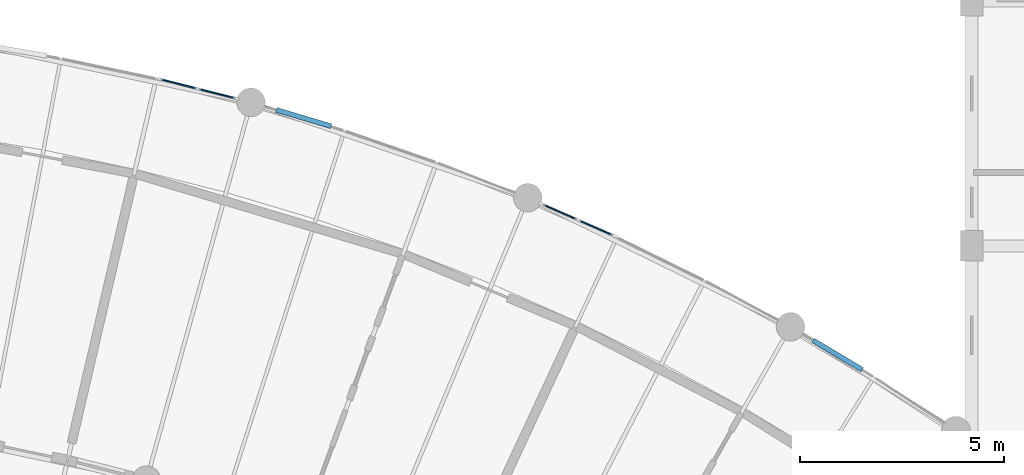
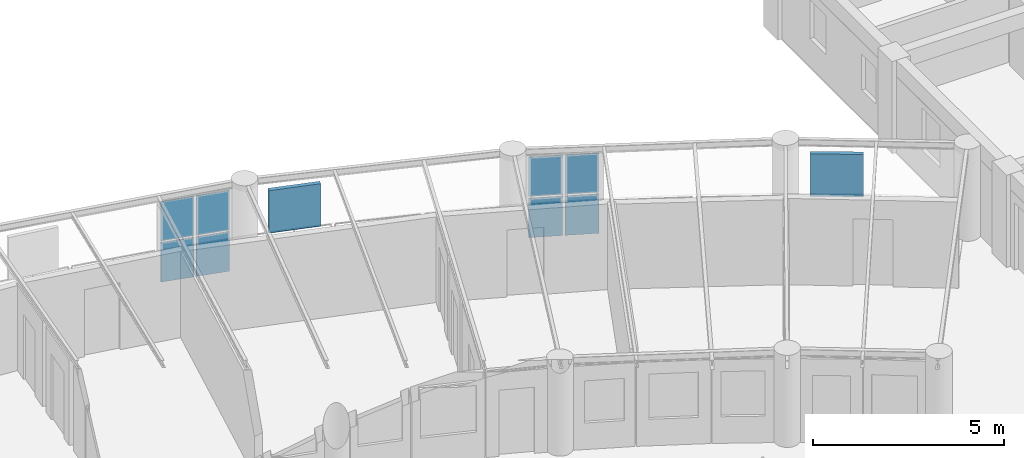
# One storey, part 68 of 123: 10 plates, 2 elements without a shape of their own.
"""IFC4 building model written with IfcOpenShell, lengths in metres."""

from ifc_helpers import new_model, si_unit, direction, frame, origin, origin_2d, place, context, subcontext, project, spatial, rectangle, extrude, material, layer, layer_set, type_object, element, aggregate, save


model = new_model("IFC4")

# Units and contexts
model_context = context("Model", 3, precision=1e-05, world=origin(), true_north=direction((0.0, 1.0)))
body_context = subcontext(model_context, "Body", "Model", "MODEL_VIEW")
ifc_project = project(units=[si_unit("LENGTHUNIT", "METRE"), si_unit("AREAUNIT", "SQUARE_METRE"), si_unit("VOLUMEUNIT", "CUBIC_METRE"), si_unit("PLANEANGLEUNIT", "RADIAN"), si_unit("MASSUNIT", "GRAM", prefix="KILO"), si_unit("POWERUNIT", "WATT"), si_unit("THERMODYNAMICTEMPERATUREUNIT", "KELVIN")], contexts=[model_context])

# Site, building, storey
site_placement = place(None, origin())
site = spatial("IfcSite", under=ifc_project, at=site_placement, CompositionType="ELEMENT")
building_placement = place(site_placement, origin())
building = spatial("IfcBuilding", under=site, at=building_placement, Name="Ruvembo Vaulted Housing Court", CompositionType="ELEMENT")
storey_placement = place(building_placement, frame((0.0, 0.0, 7.699951171875)))
storey = spatial("IfcBuildingStorey", under=building, at=storey_placement, Name="L02", CompositionType="ELEMENT", Elevation=7.699951171875)

# Curtain wall, plates
ifc_material_1 = material(Name="Anodised Aluminium and Solar-Control Glass", Category="aluminium")
ifc_layer_1 = layer(ifc_material_1, 0.139892578125, Name="Anodised Aluminium and Solar-Control Glass")
ifc_layer_set_1 = layer_set([ifc_layer_1], Name="Anodised Aluminium and Solar-Control Glass")
curtain_wall_type = type_object("IfcCurtainWallType", Name="CW-SCOOP-PAN", PredefinedType="NOTDEFINED", material=ifc_layer_set_1)
curtain_wall_1_placement = place(storey_placement, origin())
curtain_wall_1 = element("IfcCurtainWall", 1, at=curtain_wall_1_placement, inside=storey, type_object=curtain_wall_type, Name="L02 Curtain Wall CW-L02-0069", PredefinedType="NOTDEFINED")
ifc_material_2 = material(Name="Solar-Control Laminated Insulating Glass", Category="glass")
ifc_layer_2 = layer(ifc_material_2, 0.035888671875, Name="Solar-Control Laminated Insulating Glass")
ifc_layer_set_2 = layer_set([ifc_layer_2], Name="Solar-Control Laminated Insulating Glass")
plate_type_1 = type_object("IfcPlateType", Name="CW-PANEL-ACOUST", PredefinedType="CURTAIN_PANEL", material=ifc_layer_set_2)
plate_1_placement = place(storey_placement, frame((130.58203125, 105.966552734375, 0.06005859375), z_axis=(0.0, 0.0, 1.0), x_axis=(0.969147586916, -0.246481144869, 0.0)))
plate_1 = element("IfcPlate", 2, at=plate_1_placement, type_object=plate_type_1, Name="CW10 panel 1.1", PredefinedType="CURTAIN_PANEL", context=body_context, shape_type="SweptSolid", body=[
    extrude(rectangle(XDim=0.905517578125, YDim=0.035888671875, at=origin_2d()), origin(), (0.0, 0.0, 1.0), 1.259033203125),
])
plate_2_placement = place(storey_placement, frame((130.58203125, 105.966552734375, 1.37890625), z_axis=(0.0, 0.0, 1.0), x_axis=(0.969147586916, -0.246481144869, 0.0)))
plate_2 = element("IfcPlate", 3, at=plate_2_placement, type_object=plate_type_1, Name="CW10 panel 1.2", PredefinedType="CURTAIN_PANEL", context=body_context, shape_type="SweptSolid", body=[
    extrude(rectangle(XDim=0.905517578125, YDim=0.035888671875, at=origin_2d()), origin(), (0.0, 0.0, 1.0), 1.259033203125),
])
plate_3_placement = place(storey_placement, frame((131.517578125, 105.728759765625, 0.06005859375), z_axis=(0.0, 0.0, 1.0), x_axis=(0.969147586916, -0.246481144869, 0.0)))
plate_3 = element("IfcPlate", 4, at=plate_3_placement, type_object=plate_type_1, Name="CW10 panel 2.1", PredefinedType="CURTAIN_PANEL", context=body_context, shape_type="SweptSolid", body=[
    extrude(rectangle(XDim=0.905517578125, YDim=0.035888671875, at=origin_2d()), origin(), (0.0, 0.0, 1.0), 1.259033203125),
])
plate_4_placement = place(storey_placement, frame((131.517578125, 105.728759765625, 1.37890625), z_axis=(0.0, 0.0, 1.0), x_axis=(0.969147586916, -0.246481144869, 0.0)))
plate_4 = element("IfcPlate", 5, at=plate_4_placement, type_object=plate_type_1, Name="CW10 panel 2.2", PredefinedType="CURTAIN_PANEL", context=body_context, shape_type="SweptSolid", body=[
    extrude(rectangle(XDim=0.905517578125, YDim=0.035888671875, at=origin_2d()), origin(), (0.0, 0.0, 1.0), 1.259033203125),
])
aggregate(curtain_wall_1, [plate_1, plate_2, plate_3, plate_4])

curtain_wall_2_placement = place(storey_placement, origin())
curtain_wall_2 = element("IfcCurtainWall", 6, at=curtain_wall_2_placement, inside=storey, type_object=curtain_wall_type, Name="L02 Curtain Wall CW-L02-0070", PredefinedType="NOTDEFINED")
ifc_layer_3 = layer(ifc_material_2, 0.031982421875, Name="Solar-Control Laminated Insulating Glass")
ifc_layer_set_3 = layer_set([ifc_layer_3], Name="Solar-Control Laminated Insulating Glass")
plate_type_2 = type_object("IfcPlateType", Name="CW-PANEL-SOLAR", PredefinedType="CURTAIN_PANEL", material=ifc_layer_set_3)
plate_5_placement = place(storey_placement, frame((139.9208984375, 102.83056640625, 0.065185546875), z_axis=(0.0, 0.0, 1.0), x_axis=(0.91508304425, -0.403265448713, 0.0)))
plate_5 = element("IfcPlate", 7, at=plate_5_placement, type_object=plate_type_2, Name="CW10 panel 1.1", PredefinedType="CURTAIN_PANEL", context=body_context, shape_type="SweptSolid", body=[
    extrude(rectangle(XDim=0.89794921875, YDim=0.031982421875, at=origin_2d()), origin(), (0.0, 0.0, 1.0), 1.25146484375),
])
plate_6_placement = place(storey_placement, frame((139.9208984375, 102.83056640625, 1.381591796875), z_axis=(0.0, 0.0, 1.0), x_axis=(0.91508304425, -0.403265448713, 0.0)))
plate_6 = element("IfcPlate", 8, at=plate_6_placement, type_object=plate_type_2, Name="CW10 panel 1.2", PredefinedType="CURTAIN_PANEL", context=body_context, shape_type="SweptSolid", body=[
    extrude(rectangle(XDim=0.89794921875, YDim=0.031982421875, at=origin_2d()), origin(), (0.0, 0.0, 1.0), 1.25146484375),
])
plate_7_placement = place(storey_placement, frame((140.802001953125, 102.442138671875, 0.065185546875), z_axis=(0.0, 0.0, 1.0), x_axis=(0.91508304425, -0.403265448713, 0.0)))
plate_7 = element("IfcPlate", 9, at=plate_7_placement, type_object=plate_type_2, Name="CW10 panel 2.1", PredefinedType="CURTAIN_PANEL", context=body_context, shape_type="SweptSolid", body=[
    extrude(rectangle(XDim=0.89794921875, YDim=0.031982421875, at=origin_2d()), origin(), (0.0, 0.0, 1.0), 1.25146484375),
])
plate_8_placement = place(storey_placement, frame((140.802001953125, 102.442138671875, 1.381591796875), z_axis=(0.0, 0.0, 1.0), x_axis=(0.91508304425, -0.403265448713, 0.0)))
plate_8 = element("IfcPlate", 10, at=plate_8_placement, type_object=plate_type_2, Name="CW10 panel 2.2", PredefinedType="CURTAIN_PANEL", context=body_context, shape_type="SweptSolid", body=[
    extrude(rectangle(XDim=0.89794921875, YDim=0.031982421875, at=origin_2d()), origin(), (0.0, 0.0, 1.0), 1.25146484375),
])
aggregate(curtain_wall_2, [plate_5, plate_6, plate_7, plate_8])

# Plates
ifc_material_3 = material(Name="Perforated Glazed Ceramic Cobogo Block", Category="ceramic")
ifc_layer_4 = layer(ifc_material_3, 0.1201171875, Name="Perforated Glazed Ceramic Cobogo Block")
ifc_layer_set_4 = layer_set([ifc_layer_4], Name="Perforated Glazed Ceramic Cobogo Block")
plate_type_3 = type_object("IfcPlateType", Name="PL-COBOGO-120", PredefinedType="USERDEFINED", material=ifc_layer_set_4)
for number, where, z_axis, x_axis, name in (
    (11, (133.642578125, 105.130615234375, 1.1201171875), (0.0, 0.0, 1.0), (0.958077900113, -0.286507831158, 0.0), "Scoop SC3 L02 Ceramic Cobogo Screen #85"),
    (12, (146.718505859375, 99.3271484375, 1.1201171875), (0.0, 0.0, 1.0), (0.857894561819, -0.513825768915, 0.0), "Scoop SC3 L02 Ceramic Cobogo Screen #86"),
):
    element("IfcPlate", number, at=place(storey_placement, frame(where, z_axis=z_axis, x_axis=x_axis)), inside=storey, type_object=plate_type_3, Name=name, ObjectType="COBOGO_PANEL", PredefinedType="USERDEFINED", context=body_context, shape_type="SweptSolid", body=[
        extrude(rectangle(XDim=1.39990234375, YDim=0.1201171875, at=origin_2d()), origin(), (0.0, 0.0, 1.0), 1.360107421875),
    ])

save(model, "model.ifc")
